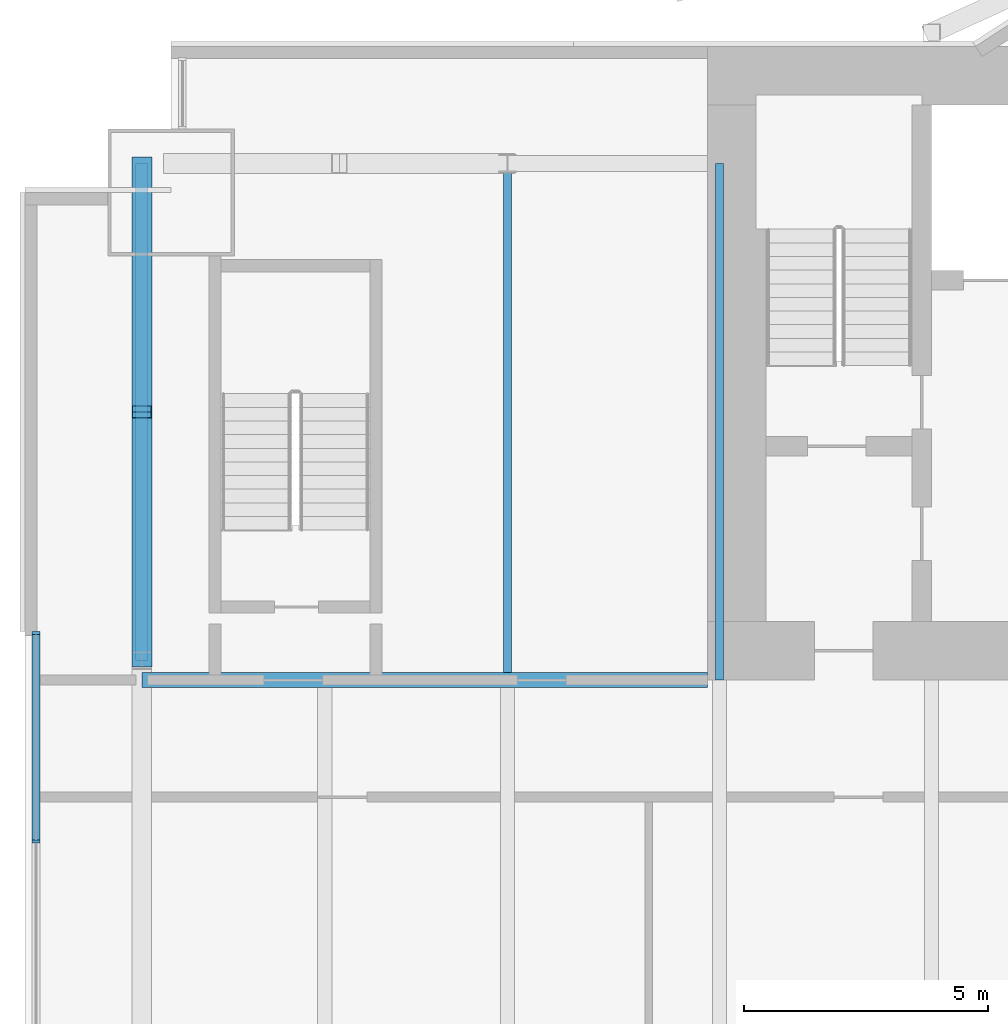
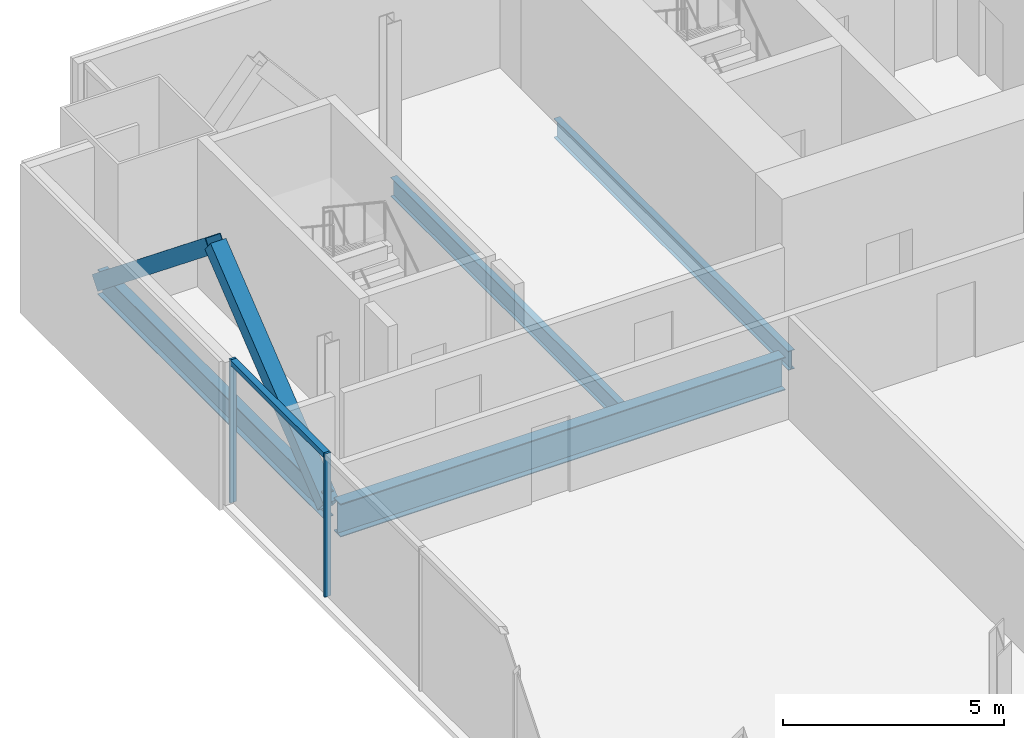
# One storey, part 8 of 22: 5 members, 4 beams, 1 element without a shape of its own.
"""IFC4 building model written with IfcOpenShell, lengths in metres."""

from ifc_helpers import new_model, si_unit, direction, frame, origin, origin_2d, place, context, subcontext, project, spatial, rectangle, hollow_rectangle, i_section, extrude, material, material_profile, profile_set, type_object, element, aggregate, save


model = new_model("IFC4")

# Units and contexts
model_context = context("Model", 3, precision=1e-05, world=origin(), true_north=direction((0.0, 1.0)))
body_context = subcontext(model_context, "Body", "Model", "MODEL_VIEW")
ifc_project = project(units=[si_unit("LENGTHUNIT", "METRE"), si_unit("AREAUNIT", "SQUARE_METRE"), si_unit("VOLUMEUNIT", "CUBIC_METRE"), si_unit("PLANEANGLEUNIT", "RADIAN"), si_unit("MASSUNIT", "GRAM", prefix="KILO")], contexts=[model_context])

# Site, building, storey
site_placement = place(None, origin())
site = spatial("IfcSite", under=ifc_project, at=site_placement, CompositionType="ELEMENT")
building_placement = place(site_placement, origin())
building = spatial("IfcBuilding", under=site, at=building_placement, Name="Bicima Exchange Tower", CompositionType="ELEMENT")
storey_placement = place(building_placement, frame((0.0, 0.0, 203.199951171875)))
storey = spatial("IfcBuildingStorey", under=building, at=storey_placement, Name="L45", CompositionType="ELEMENT", Elevation=203.199951171875)

# Beam
ifc_material_1 = material(Name="Steel ASTM A992 Gr 50", Category="steel")
ifc_material_profile_1 = material_profile(ifc_material_1, i_section(OverallWidth=0.3046875, OverallDepth=0.911865234375, WebThickness=0.015869140625, FlangeThickness=0.02392578125, at=origin_2d()))
ifc_profile_set_1 = profile_set([ifc_material_profile_1], Name="Steel ASTM A992 Gr 50")
beam_type_1 = type_object("IfcBeamType", Name="Core-line girder W36x150", PredefinedType="BEAM", material=ifc_profile_set_1)
beam_1_placement = place(storey_placement, frame((-22.0, -13.0, -0.60595703125), z_axis=(-1.0, 0.0, 0.0), x_axis=(0.0, -1.0, 0.0)))
element("IfcBeam", 1, at=beam_1_placement, inside=storey, type_object=beam_type_1, Name="Core-line girder", PredefinedType="BEAM", context=body_context, shape_type="SweptSolid", body=[
    extrude(i_section(OverallWidth=0.3046875, OverallDepth=0.911865234375, WebThickness=0.015869140625, FlangeThickness=0.02392578125, at=origin_2d()), origin(), (0.0, 0.0, 1.0), 11.60009765625),
])

# Curtain wall, members
ifc_material_2 = material(Name="Anodised bronze aluminium", Category="aluminium")
curtain_wall_type = type_object("IfcCurtainWallType", Name="End face glass wall", PredefinedType="NOTDEFINED", material=ifc_material_2)
curtain_wall_placement = place(storey_placement, origin())
curtain_wall = element("IfcCurtainWall", 2, at=curtain_wall_placement, inside=storey, type_object=curtain_wall_type, Name="End face glass wall L45 run 2", PredefinedType="NOTDEFINED")
ifc_material_profile_2 = material_profile(ifc_material_2, rectangle(XDim=0.159912109375, YDim=0.06005859375, at=origin_2d()))
ifc_profile_set_2 = profile_set([ifc_material_profile_2], Name="Anodised bronze aluminium")
member_type_1 = type_object("IfcMemberType", Name="End face glass wall mullion 60 x 160", PredefinedType="MULLION", material=ifc_profile_set_2)
member_1_placement = place(storey_placement, frame((-35.77001953125, -12.030029296875, 0.0), z_axis=(0.0, 0.0, 1.0), x_axis=(1.0, 0.0, 0.0)))
member_1 = element("IfcMember", 3, at=member_1_placement, type_object=member_type_1, Name="End face glass wall mullion 1", PredefinedType="MULLION", context=body_context, shape_type="SweptSolid", body=[
    extrude(rectangle(XDim=0.159912109375, YDim=0.06005859375, at=origin_2d()), origin(), (0.0, 0.0, 1.0), 3.949951171875),
])
member_2_placement = place(storey_placement, frame((-35.77001953125, -16.30859375, 0.0), z_axis=(0.0, 0.0, 1.0), x_axis=(1.0, 0.0, 0.0)))
member_2 = element("IfcMember", 4, at=member_2_placement, type_object=member_type_1, Name="End face glass wall mullion 2", PredefinedType="MULLION", context=body_context, shape_type="SweptSolid", body=[
    extrude(rectangle(XDim=0.159912109375, YDim=0.06005859375, at=origin_2d()), origin(), (0.0, 0.0, 1.0), 3.949951171875),
])
ifc_material_profile_3 = material_profile(ifc_material_2, rectangle(XDim=0.159912109375, YDim=0.139892578125, at=origin_2d()))
ifc_profile_set_3 = profile_set([ifc_material_profile_3], Name="Anodised bronze aluminium")
member_type_2 = type_object("IfcMemberType", Name="End face glass wall transom 140 x 160", PredefinedType="USERDEFINED", material=ifc_profile_set_3)
member_3_placement = place(storey_placement, frame((-35.77001953125, -12.06005859375, 3.880126953125), z_axis=(0.0, -1.0, 0.0), x_axis=(1.0, 0.0, 0.0)))
member_3 = element("IfcMember", 5, at=member_3_placement, type_object=member_type_2, Name="End face glass wall transom 1.1", ObjectType="TRANSOM", PredefinedType="USERDEFINED", context=body_context, shape_type="SweptSolid", body=[
    extrude(rectangle(XDim=0.159912109375, YDim=0.139892578125, at=origin_2d()), origin(), (0.0, 0.0, 1.0), 4.218505859375),
])
aggregate(curtain_wall, [member_1, member_2, member_3])

# Beams
ifc_material_profile_4 = material_profile(ifc_material_1, i_section(OverallWidth=0.256591796875, OverallDepth=0.693359375, WebThickness=0.014404296875, FlangeThickness=0.023681640625, at=origin_2d()))
ifc_profile_set_4 = profile_set([ifc_material_profile_4], Name="Steel ASTM A992 Gr 50")
beam_type_2 = type_object("IfcBeamType", Name="End girder W27x114", PredefinedType="BEAM", material=ifc_profile_set_4)
beam_2_placement = place(storey_placement, frame((-33.60009765625, -2.39990234375, -0.49658203125), z_axis=(0.0, -1.0, 0.0), x_axis=(1.0, 0.0, 0.0)))
element("IfcBeam", 6, at=beam_2_placement, inside=storey, type_object=beam_type_2, Name="End girder", PredefinedType="BEAM", context=body_context, shape_type="SweptSolid", body=[
    extrude(i_section(OverallWidth=0.256591796875, OverallDepth=0.693359375, WebThickness=0.014404296875, FlangeThickness=0.023681640625, at=origin_2d()), origin(), (0.0, 0.0, 1.0), 10.2001953125),
])
ifc_material_profile_5 = material_profile(ifc_material_1, i_section(OverallWidth=0.165771484375, OverallDepth=0.5283203125, WebThickness=0.009765625, FlangeThickness=0.013671875, at=origin_2d()))
ifc_profile_set_5 = profile_set([ifc_material_profile_5], Name="Steel ASTM A992 Gr 50")
beam_type_3 = type_object("IfcBeamType", Name="Floor beam W21x50", PredefinedType="JOIST", material=ifc_profile_set_5)
beam_3_placement = place(storey_placement, frame((-26.10009765625, -2.5625, -0.4140625), z_axis=(0.0, -1.0, 0.0), x_axis=(1.0, 0.0, 0.0)))
element("IfcBeam", 7, at=beam_3_placement, inside=storey, type_object=beam_type_3, Name="Floor beam", PredefinedType="JOIST", context=body_context, shape_type="SweptSolid", body=[
    extrude(i_section(OverallWidth=0.165771484375, OverallDepth=0.5283203125, WebThickness=0.009765625, FlangeThickness=0.013671875, at=origin_2d()), origin(), (0.0, 0.0, 1.0), 10.28515625),
])
beam_4_placement = place(storey_placement, frame((-21.75, -2.39990234375, -0.4140625), z_axis=(0.0, -1.0, 0.0), x_axis=(1.0, 0.0, 0.0)))
element("IfcBeam", 8, at=beam_4_placement, inside=storey, type_object=beam_type_3, Name="Floor beam", PredefinedType="JOIST", context=body_context, shape_type="SweptSolid", body=[
    extrude(i_section(OverallWidth=0.165771484375, OverallDepth=0.5283203125, WebThickness=0.009765625, FlangeThickness=0.013671875, at=origin_2d()), origin(), (0.0, 0.0, 1.0), 10.60009765625),
])

# Members
ifc_material_3 = material(Name="Steel ASTM A572 Gr 50", Category="steel")
ifc_material_profile_6 = material_profile(ifc_material_3, hollow_rectangle(XDim=0.406494140625, YDim=0.406494140625, WallThickness=0.0146484375, at=origin_2d()))
ifc_profile_set_6 = profile_set([ifc_material_profile_6], Name="Steel ASTM A572 Gr 50")
member_type_3 = type_object("IfcMemberType", Name="Mega brace HSS16x16x5/8", PredefinedType="BRACE", material=ifc_profile_set_6)
for number, where, z_axis, x_axis, name in (
    (9, (-33.60009765625, -2.39990234375, -0.49658203125), (0.0, -0.779392460608, 0.626536026376), (1.0, 0.0, 0.0), "Mega brace west end"),
    (10, (-33.60009765625, -12.60009765625, -0.49658203125), (0.0, 0.779392460608, 0.626536026376), (-1.0, 0.0, 0.0), "Mega brace west end"),
):
    element("IfcMember", number, at=place(storey_placement, frame(where, z_axis=z_axis, x_axis=x_axis)), inside=storey, type_object=member_type_3, Name=name, PredefinedType="BRACE", context=body_context, shape_type="SweptSolid", body=[
        extrude(hollow_rectangle(XDim=0.406494140625, YDim=0.406494140625, WallThickness=0.0146484375, at=origin_2d()), origin(), (0.0, 0.0, 1.0), 6.543701171875),
    ])

save(model, "model.ifc")
